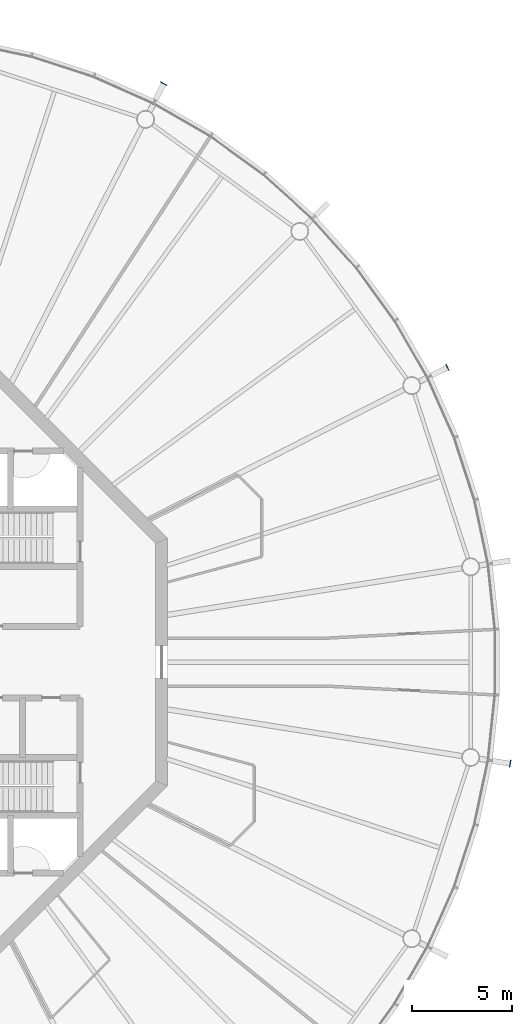
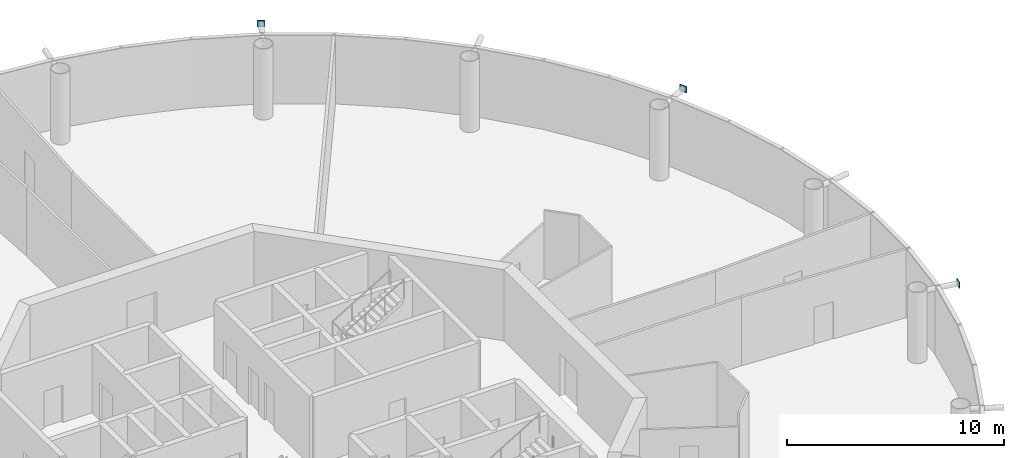
# One storey, part 10 of 18: 3 discrete accessories.
"""IFC4 building model written with IfcOpenShell, lengths in metres."""

from ifc_helpers import new_model, si_unit, direction, frame, origin, origin_2d, place, context, subcontext, project, spatial, rectangle, extrude, material, element, save


model = new_model("IFC4")

# Units and contexts
model_context = context("Model", 3, precision=1e-05, world=origin(), true_north=direction((0.0, 1.0)))
body_context = subcontext(model_context, "Body", "Model", "MODEL_VIEW")
ifc_project = project(units=[si_unit("LENGTHUNIT", "METRE"), si_unit("AREAUNIT", "SQUARE_METRE"), si_unit("VOLUMEUNIT", "CUBIC_METRE"), si_unit("PLANEANGLEUNIT", "RADIAN"), si_unit("MASSUNIT", "GRAM", prefix="KILO")], contexts=[model_context])

# Site, building, storey
site_placement = place(None, origin())
site = spatial("IfcSite", under=ifc_project, at=site_placement, CompositionType="ELEMENT")
building_placement = place(site_placement, origin())
building = spatial("IfcBuilding", under=site, at=building_placement, Name="Entoto Ring Tower", CompositionType="ELEMENT")
storey_placement = place(building_placement, frame((0.0, 0.0, 352.0)))
storey = spatial("IfcBuildingStorey", under=building, at=storey_placement, Name="L81", CompositionType="ELEMENT", Elevation=352.0)

# Discrete accessories
ifc_material = material(Name="Steel S355", Category="steel")
for number, where, z_axis, x_axis, name in (
    (1, (119.06005859375, 94.806884765625, 3.52685546875), (0.0, 0.0, 1.0), (0.891006524188, 0.45399049974, 0.0), "Node strut end plate DS2 ring 26 02"),
    (2, (104.806884765625, 109.06005859375, 3.52685546875), (0.0, 0.0, 1.0), (0.45399049974, 0.891006524188, 0.0), "Node strut end plate DS2 ring 26 04"),
    (3, (122.21337890625, 74.89794921875, 3.52685546875), (0.0, 0.0, 1.0), (0.987688340595, -0.15643446504, 0.0), "Node strut end plate DS2 ring 26 20"),
):
    element("IfcDiscreteAccessory", number, at=place(storey_placement, frame(where, z_axis=z_axis, x_axis=x_axis)), inside=storey, material=ifc_material, Name=name, PredefinedType="BRACKET", context=body_context, shape_type="SweptSolid", body=[
        extrude(rectangle(XDim=0.030029296875, YDim=0.373046875, at=origin_2d()), origin(), (0.0, 0.0, 1.0), 0.373046875),
    ])

save(model, "model.ifc")
